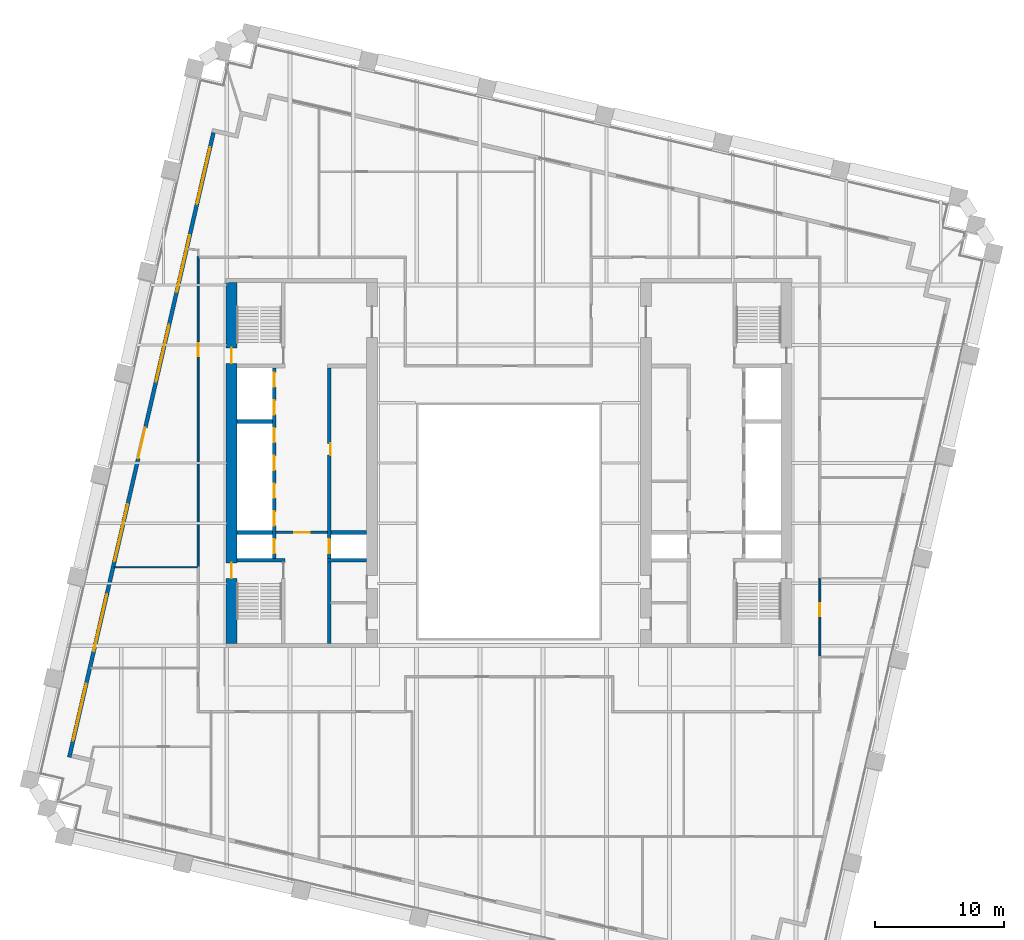
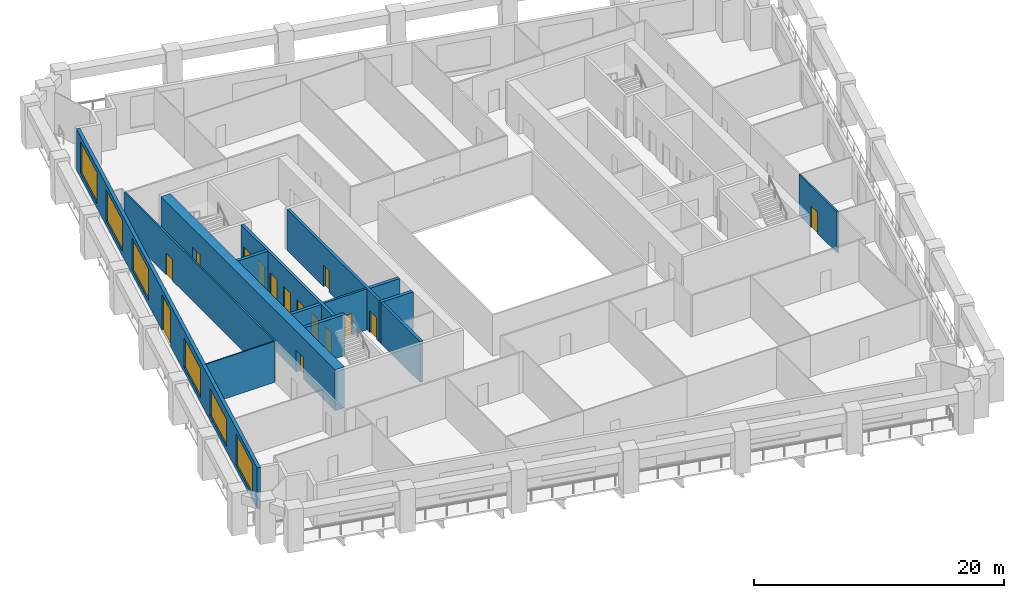
# One storey, part 5 of 10: 15 doors, 13 walls, 6 windows, 21 openings.
"""IFC4 building model written with IfcOpenShell, lengths in metres."""

import ifcopenshell
import ifcopenshell.guid

model = None  # the IFC model being written
_history = None  # IfcOwnerHistory: only IFC2X3 demands one
_inside = {}  # id of a spatial element -> (the spatial element, [elements in it])
_under = {}  # id of a project, library or spatial element -> (it, [spatial elements below it])
_declared = {}  # id of a project -> (the project, [libraries it declares])
_typed = {}  # id of a type object -> (the type object, [elements of that type])
_made_of = {}  # id of a material, layer set ... -> (it, [elements and type objects made of it])


def new_model(schema):
    """Start an empty IFC model of exactly this schema.

    Asked for "IFC4X3", IfcOpenShell would pick the latest addendum, in which some entities
    have other attributes; the version numbers below select the first issue.
    IFC2X3 requires an IfcOwnerHistory on every rooted entity: one is made here for all.
    """
    global model, _history
    if schema == "IFC4X3":
        model = ifcopenshell.file(schema_version=(4, 3, 0, 0))
    else:
        model = ifcopenshell.file(schema=schema)
    _inside.clear()
    _under.clear()
    _declared.clear()
    _typed.clear()
    _made_of.clear()
    _history = None
    if model.schema == "IFC2X3":
        org = make("IfcOrganization", Name="unknown")
        user = make(
            "IfcPersonAndOrganization",
            ThePerson=make("IfcPerson", FamilyName="unknown"),
            TheOrganization=org,
        )
        app = make(
            "IfcApplication",
            ApplicationDeveloper=org,
            Version="unknown",
            ApplicationFullName="unknown",
            ApplicationIdentifier="unknown",
        )
        _history = make(
            "IfcOwnerHistory",
            OwningUser=user,
            OwningApplication=app,
            ChangeAction="ADDED",
            CreationDate=0,
        )
    return model


def make(cls, **values):
    """One entity of the class cls with the attributes given. An attribute that is None is left unset."""
    return model.create_entity(
        cls, **{name: value for name, value in values.items() if value is not None}
    )


def rooted(cls, **values):
    """An entity with a GlobalId (a new one), such as an element, a storey or a relation."""
    return make(cls, GlobalId=ifcopenshell.guid.new(), OwnerHistory=_history, **values)


def si_unit(unit_type, name, prefix=None):
    """IfcSIUnit, for example si_unit("LENGTHUNIT", "METRE", prefix="MILLI")."""
    return make("IfcSIUnit", UnitType=unit_type, Prefix=prefix, Name=name)


def assignment(units):
    """IfcUnitAssignment: the units of a project."""
    return None if units is None else make("IfcUnitAssignment", Units=units)


def point(xyz):
    """IfcCartesianPoint."""
    return None if xyz is None else make("IfcCartesianPoint", Coordinates=xyz)


def direction(xyz):
    """IfcDirection."""
    return None if xyz is None else make("IfcDirection", DirectionRatios=xyz)


def frame(location, z_axis=None, x_axis=None):
    """IfcAxis2Placement3D, a coordinate frame: its origin and axes. An axis left out is left unset."""
    return make(
        "IfcAxis2Placement3D",
        Location=point(location),
        Axis=direction(z_axis),
        RefDirection=direction(x_axis),
    )


def frame_2d(location, x_axis=None):
    """IfcAxis2Placement2D, a coordinate frame in the plane: its origin and x axis."""
    return make(
        "IfcAxis2Placement2D", Location=point(location), RefDirection=direction(x_axis)
    )


def origin():
    """The frame at (0, 0, 0) with its axes left unset."""
    return frame((0.0, 0.0, 0.0))


def place(relative_to, where):
    """IfcLocalPlacement: puts the frame where relative to a parent placement (None: the world)."""
    return make(
        "IfcLocalPlacement", PlacementRelTo=relative_to, RelativePlacement=where
    )


def context(
    kind, dimensions, precision=None, world=None, true_north=None, identifier=None
):
    """IfcGeometricRepresentationContext, for example the 3D "Model" context."""
    return make(
        "IfcGeometricRepresentationContext",
        ContextIdentifier=identifier,
        ContextType=kind,
        CoordinateSpaceDimension=dimensions,
        Precision=precision,
        WorldCoordinateSystem=world,
        TrueNorth=true_north,
    )


def subcontext(parent, identifier, kind, view, scale=None):
    """IfcGeometricRepresentationSubContext, for example "Body" below "Model"."""
    return make(
        "IfcGeometricRepresentationSubContext",
        ContextIdentifier=identifier,
        ContextType=kind,
        ParentContext=parent,
        TargetScale=scale,
        TargetView=view,
    )


def project(units=None, contexts=None):
    """IfcProject with its units and contexts."""
    return rooted(
        "IfcProject",
        Name="project",
        RepresentationContexts=contexts,
        UnitsInContext=assignment(units),
    )


def spatial(cls, under=None, at=None, **own):
    """A site, building, storey or space (cls), placed at a placement, below another one or the project."""
    s = rooted(cls, ObjectPlacement=at, **own)
    if under is not None:
        _under.setdefault(under.id(), (under, []))[1].append(s)
    return s


def profile(cls, at=None, kind="AREA", **sizes):
    """A parametric profile (cls). Its sizes go by their IFC names, for example OverallWidth=200.0."""
    return make(cls, ProfileType=kind, Position=at, **sizes)


def rectangle(**sizes):
    """IfcRectangleProfileDef."""
    return profile("IfcRectangleProfileDef", **sizes)


def extrude(swept, where, along, depth):
    """IfcExtrudedAreaSolid: the profile swept, set in the frame where, extruded along a direction by depth."""
    return make(
        "IfcExtrudedAreaSolid",
        SweptArea=swept,
        Position=where,
        ExtrudedDirection=direction(along),
        Depth=depth,
    )


def shape(context_of_items, identifier, shape_type, items):
    """IfcShapeRepresentation: the items that make up one representation, for example the "Body"."""
    return make(
        "IfcShapeRepresentation",
        ContextOfItems=context_of_items,
        RepresentationIdentifier=identifier,
        RepresentationType=shape_type,
        Items=items,
    )


def material(Name=None, Category=None):
    """IfcMaterial."""
    return make("IfcMaterial", Name=Name, Category=Category)


def layer(
    of_material, thickness, ventilated=None, Name=None, Category=None, Priority=None
):
    """IfcMaterialLayer: one layer of a wall or slab, of a material (None: an air gap)."""
    return make(
        "IfcMaterialLayer",
        Material=of_material,
        LayerThickness=thickness,
        IsVentilated=ventilated,
        Name=Name,
        Category=Category,
        Priority=Priority,
    )


def layer_set(layers, Name=None):
    """IfcMaterialLayerSet."""
    return make("IfcMaterialLayerSet", MaterialLayers=layers, LayerSetName=Name)


def made_of(thing, what):
    """Note that an element or type object is made of a material, layer set ...; save() writes the relation."""
    if what is not None:
        _made_of.setdefault(what.id(), (what, []))[1].append(thing)
    return thing


def type_object(cls, material=None, **own):
    """A type object (cls), such as IfcWallType, which elements share."""
    return made_of(rooted(cls, **own), material)


def element(
    cls,
    number,
    at=None,
    inside=None,
    cuts=None,
    type_object=None,
    material=None,
    context=None,
    identifier="Body",
    shape_type=None,
    held_by="IfcProductDefinitionShape",
    body=None,
    shapes=None,
    **own,
):
    """One element of the class cls, such as IfcWall. Its Tag is "e" and its number.

    at: its placement. inside: the storey or other place that contains it. cuts: it is an
    opening in that element (IfcRelVoidsElement). A single representation is given by context,
    identifier, shape_type and body (its items); several are given by shapes. held_by: the class
    of the entity that holds the representations. save() writes the other relations.
    """
    e = rooted(cls, Tag="e%d" % number, ObjectPlacement=at, **own)
    if body is not None:
        shapes = [shape(context, identifier, shape_type, body)]
    if shapes is not None:
        e.Representation = make(held_by, Representations=shapes)
    if inside is not None:
        _inside.setdefault(inside.id(), (inside, []))[1].append(e)
    if cuts is not None:
        rooted(
            "IfcRelVoidsElement", RelatingBuildingElement=cuts, RelatedOpeningElement=e
        )
    if type_object is not None:
        _typed.setdefault(type_object.id(), (type_object, []))[1].append(e)
    return made_of(e, material)


def fill(opening, filler):
    """IfcRelFillsElement: the door or window that sits in an opening."""
    return rooted(
        "IfcRelFillsElement",
        RelatingOpeningElement=opening,
        RelatedBuildingElement=filler,
    )


def aggregate(whole, parts):
    """IfcRelAggregates: a whole, such as a stair, and the parts it consists of."""
    return rooted("IfcRelAggregates", RelatingObject=whole, RelatedObjects=parts)


def save(model, path):
    """Write the relations noted so far, then the file.

    IfcRelAggregates (storeys below a building ...), IfcRelContainedInSpatialStructure (elements
    in a storey), IfcRelDefinesByType, IfcRelAssociatesMaterial and IfcRelDeclares: one each for
    every whole, place, type object, material and project.
    """
    for whole, parts in _under.values():
        aggregate(whole, parts)
    for where, things in _inside.values():
        rooted(
            "IfcRelContainedInSpatialStructure",
            RelatedElements=things,
            RelatingStructure=where,
        )
    for kind, things in _typed.values():
        rooted("IfcRelDefinesByType", RelatedObjects=things, RelatingType=kind)
    for what, things in _made_of.values():
        rooted("IfcRelAssociatesMaterial", RelatedObjects=things, RelatingMaterial=what)
    for by, libraries in _declared.values():
        rooted("IfcRelDeclares", RelatingContext=by, RelatedDefinitions=libraries)
    model.write(path)


model = new_model("IFC4")

# Units and contexts
model_context = context("Model", 3, precision=1e-05, world=origin(), true_north=direction((0.0, 1.0)))
body_context = subcontext(model_context, "Body", "Model", "MODEL_VIEW")
ifc_project = project(units=[si_unit("LENGTHUNIT", "METRE"), si_unit("AREAUNIT", "SQUARE_METRE"), si_unit("VOLUMEUNIT", "CUBIC_METRE"), si_unit("PLANEANGLEUNIT", "RADIAN"), si_unit("MASSUNIT", "GRAM", prefix="KILO")], contexts=[model_context])

# Site, building, storey
site_placement = place(None, origin())
site = spatial("IfcSite", under=ifc_project, at=site_placement, CompositionType="ELEMENT")
building_placement = place(site_placement, origin())
building = spatial("IfcBuilding", under=site, at=building_placement, Name="Ogive Exchange Tower", CompositionType="ELEMENT")
storey_placement = place(building_placement, frame((0.0, 0.0, 118.199951171875)))
storey = spatial("IfcBuildingStorey", under=building, at=storey_placement, Name="L25", CompositionType="ELEMENT", Elevation=118.199951171875)

# Wall, opening, door
ifc_material_1 = material(Name="Fire partition EI 60 150")
ifc_layer_1 = layer(ifc_material_1, 0.14990234375)
ifc_layer_set_1 = layer_set([ifc_layer_1], Name="Fire partition EI 60 150")
wall_type_1 = type_object("IfcWallType", Name="Fire partition EI 60 150", PredefinedType="PARTITIONING", material=ifc_layer_set_1)
wall_1_placement = place(storey_placement, frame((-24.0, 3.449951171875, 0.0), z_axis=(0.0, 0.0, 1.0), x_axis=(0.0, 1.0, 0.0)))
wall_1 = element("IfcWall", 1, at=wall_1_placement, inside=storey, type_object=wall_type_1, Name="L25-PWL-007", PredefinedType="PARTITIONING", context=body_context, shape_type="SweptSolid", body=[
    extrude(rectangle(XDim=24.025146484375, YDim=0.14990234375, at=frame_2d((12.0126953125, 0.0))), origin(), (0.0, 0.0, 1.0), 4.0),
])
opening_1_placement = place(wall_1_placement, frame((16.300048828125, 0.0, 0.0)))
opening_1 = element("IfcOpeningElement", 2, at=opening_1_placement, cuts=wall_1, Name="Opening L25-I19", PredefinedType="OPENING", context=body_context, shape_type="SweptSolid", body=[
    extrude(rectangle(XDim=1.0, YDim=2.10009765625, at=frame_2d((0.5, 1.050048828125))), frame((0.0, 0.0849609375, 0.0), z_axis=(0.0, -1.0, 0.0), x_axis=(1.0, 0.0, 0.0)), (0.0, 0.0, 1.0), 0.169921875),
])
ifc_material_2 = material(Name="Fire door FD 30S 1000 x 2100")
door_type_1 = type_object("IfcDoorType", Name="Fire door FD 30S 1000 x 2100", OperationType="NOTDEFINED", PredefinedType="DOOR", material=ifc_material_2)
door_1_placement = place(opening_1_placement, origin())
door_1 = element("IfcDoor", 3, at=door_1_placement, inside=storey, type_object=door_type_1, Name="L25-IDR-019", ObjectType="DT3", OperationType="SINGLE_SWING_LEFT", OverallHeight=2.10009765625, OverallWidth=1.0, PredefinedType="DOOR", context=body_context, shape_type="SweptSolid", body=[
    extrude(rectangle(XDim=1.0, YDim=2.10009765625, at=frame_2d((0.5, 1.050048828125))), frame((0.0, 0.02490234375, 0.0), z_axis=(0.0, -1.0, 0.0), x_axis=(1.0, 0.0, 0.0)), (0.0, 0.0, 1.0), 0.050048828125),
])
fill(opening_1, door_1)

wall_2_placement = place(storey_placement, frame((24.0, 2.610107421875, 0.0), z_axis=(0.0, 0.0, 1.0), x_axis=(0.0, -1.0, 0.0)))
wall_2 = element("IfcWall", 4, at=wall_2_placement, inside=storey, type_object=wall_type_1, Name="L25-PWL-059", PredefinedType="PARTITIONING", context=body_context, shape_type="SweptSolid", body=[
    extrude(rectangle(XDim=6.090087890625, YDim=0.14990234375, at=frame_2d((3.044921875, 0.0))), origin(), (0.0, 0.0, 1.0), 4.0),
])
opening_2_placement = place(wall_2_placement, frame((1.93994140625, 0.0, 0.0)))
opening_2 = element("IfcOpeningElement", 5, at=opening_2_placement, cuts=wall_2, Name="Opening L25-I08", PredefinedType="OPENING", context=body_context, shape_type="SweptSolid", body=[
    extrude(rectangle(XDim=1.0, YDim=2.10009765625, at=frame_2d((0.5, 1.050048828125))), frame((0.0, 0.0849609375, 0.0), z_axis=(0.0, -1.0, 0.0), x_axis=(1.0, 0.0, 0.0)), (0.0, 0.0, 1.0), 0.169921875),
])
door_2_placement = place(opening_2_placement, origin())
door_2 = element("IfcDoor", 6, at=door_2_placement, inside=storey, type_object=door_type_1, Name="L25-IDR-008", ObjectType="DT3", OperationType="SINGLE_SWING_RIGHT", OverallHeight=2.10009765625, OverallWidth=1.0, PredefinedType="DOOR", context=body_context, shape_type="SweptSolid", body=[
    extrude(rectangle(XDim=1.0, YDim=2.10009765625, at=frame_2d((0.5, 1.050048828125))), frame((0.0, 0.02490234375, 0.0), z_axis=(0.0, -1.0, 0.0), x_axis=(1.0, 0.0, 0.0)), (0.0, 0.0, 1.0), 0.050048828125),
])
fill(opening_2, door_2)

# Wall, openings, door, windows
ifc_material_3 = material(Name="Precast concrete C40/50", Category="concrete")
ifc_layer_2 = layer(ifc_material_3, 0.300048828125)
ifc_layer_set_2 = layer_set([ifc_layer_2], Name="Limestone-faced wall 300")
wall_type_2 = type_object("IfcWallType", Name="Limestone-faced wall 300", PredefinedType="STANDARD", material=ifc_layer_set_2)
wall_3_placement = place(storey_placement, frame((-22.8203125, 37.015625, 0.0), z_axis=(0.0, 0.0, 1.0), x_axis=(-0.224953880882, -0.974369412223, 0.0)))
wall_3 = element("IfcWall", 7, at=wall_3_placement, inside=storey, type_object=wall_type_2, Name="External wall W4", PredefinedType="STANDARD", context=body_context, shape_type="SweptSolid", body=[
    extrude(rectangle(XDim=49.500244140625, YDim=0.300048828125, at=frame_2d((24.75, 0.0))), origin(), (0.0, 0.0, 1.0), 4.0),
])
opening_3_placement = place(wall_3_placement, frame((1.156982421875, 0.0, 0.449951171875)))
opening_3 = element("IfcOpeningElement", 8, at=opening_3_placement, cuts=wall_3, Name="Opening W1", PredefinedType="OPENING", context=body_context, shape_type="SweptSolid", body=[
    extrude(rectangle(XDim=4.5, YDim=3.050048828125, at=frame_2d((2.25, 1.52490234375))), frame((0.0, 0.159912109375, 0.0), z_axis=(0.0, -1.0, 0.0), x_axis=(1.0, 0.0, 0.0)), (0.0, 0.0, 1.0), 0.320068359375),
])
opening_4_placement = place(wall_3_placement, frame((8.121337890625, 0.0, 0.449951171875)))
opening_4 = element("IfcOpeningElement", 9, at=opening_4_placement, cuts=wall_3, Name="Opening W1", PredefinedType="OPENING", context=body_context, shape_type="SweptSolid", body=[
    extrude(rectangle(XDim=4.5, YDim=3.050048828125, at=frame_2d((2.25, 1.52490234375))), frame((0.0, 0.159912109375, 0.0), z_axis=(0.0, -1.0, 0.0), x_axis=(1.0, 0.0, 0.0)), (0.0, 0.0, 1.0), 0.320068359375),
])
opening_5_placement = place(wall_3_placement, frame((15.235595703125, 0.0, 0.449951171875)))
opening_5 = element("IfcOpeningElement", 10, at=opening_5_placement, cuts=wall_3, Name="Opening W1", PredefinedType="OPENING", context=body_context, shape_type="SweptSolid", body=[
    extrude(rectangle(XDim=4.5, YDim=3.050048828125, at=frame_2d((2.25, 1.52490234375))), frame((0.0, 0.159912109375, 0.0), z_axis=(0.0, -1.0, 0.0), x_axis=(1.0, 0.0, 0.0)), (0.0, 0.0, 1.0), 0.320068359375),
])
opening_6_placement = place(wall_3_placement, frame((23.39990234375, 0.0, 0.0)))
opening_6 = element("IfcOpeningElement", 11, at=opening_6_placement, cuts=wall_3, Name="Opening D1", PredefinedType="OPENING", context=body_context, shape_type="SweptSolid", body=[
    extrude(rectangle(XDim=2.39990234375, YDim=3.5, at=frame_2d((1.199951171875, 1.75))), frame((0.0, 0.159912109375, 0.0), z_axis=(0.0, -1.0, 0.0), x_axis=(1.0, 0.0, 0.0)), (0.0, 0.0, 1.0), 0.320068359375),
])
opening_7_placement = place(wall_3_placement, frame((29.464111328125, 0.0, 0.449951171875)))
opening_7 = element("IfcOpeningElement", 12, at=opening_7_placement, cuts=wall_3, Name="Opening W1D", PredefinedType="OPENING", context=body_context, shape_type="SweptSolid", body=[
    extrude(rectangle(XDim=4.5, YDim=2.875, at=frame_2d((2.25, 1.4375))), frame((0.0, 0.159912109375, 0.0), z_axis=(0.0, -1.0, 0.0), x_axis=(1.0, 0.0, 0.0)), (0.0, 0.0, 1.0), 0.320068359375),
])
opening_8_placement = place(wall_3_placement, frame((36.57861328125, 0.0, 0.449951171875)))
opening_8 = element("IfcOpeningElement", 13, at=opening_8_placement, cuts=wall_3, Name="Opening W1J", PredefinedType="OPENING", context=body_context, shape_type="SweptSolid", body=[
    extrude(rectangle(XDim=4.5, YDim=2.675048828125, at=frame_2d((2.25, 1.33740234375))), frame((0.0, 0.159912109375, 0.0), z_axis=(0.0, -1.0, 0.0), x_axis=(1.0, 0.0, 0.0)), (0.0, 0.0, 1.0), 0.320068359375),
])
opening_9_placement = place(wall_3_placement, frame((43.69287109375, 0.0, 0.449951171875)))
opening_9 = element("IfcOpeningElement", 14, at=opening_9_placement, cuts=wall_3, Name="Opening W1", PredefinedType="OPENING", context=body_context, shape_type="SweptSolid", body=[
    extrude(rectangle(XDim=4.5, YDim=3.050048828125, at=frame_2d((2.25, 1.52490234375))), frame((0.0, 0.159912109375, 0.0), z_axis=(0.0, -1.0, 0.0), x_axis=(1.0, 0.0, 0.0)), (0.0, 0.0, 1.0), 0.320068359375),
])
ifc_material_4 = material(Name="Clear glass in bronze frame", Category="glass")
door_type_2 = type_object("IfcDoorType", Name="Sliding loggia door 2400 x 3500", OperationType="DOUBLE_DOOR_SLIDING", PredefinedType="DOOR", material=ifc_material_4)
door_3_placement = place(opening_6_placement, origin())
door_3 = element("IfcDoor", 15, at=door_3_placement, inside=storey, type_object=door_type_2, Name="Loggia door W03", OperationType="DOUBLE_DOOR_SLIDING", OverallHeight=3.5, OverallWidth=2.39990234375, PredefinedType="DOOR", context=body_context, shape_type="SweptSolid", body=[
    extrude(rectangle(XDim=2.39990234375, YDim=3.5, at=frame_2d((1.199951171875, 1.75))), frame((0.0, 0.02490234375, 0.0), z_axis=(0.0, -1.0, 0.0), x_axis=(1.0, 0.0, 0.0)), (0.0, 0.0, 1.0), 0.050048828125),
])
fill(opening_6, door_3)
window_type_1 = type_object("IfcWindowType", Name="Twin lancet window 4500 x 2675", PartitioningType="DOUBLE_PANEL_VERTICAL", PredefinedType="WINDOW", material=ifc_material_4)
window_1_placement = place(opening_8_placement, origin())
window_1 = element("IfcWindow", 16, at=window_1_placement, inside=storey, type_object=window_type_1, Name="Window W05", OverallHeight=2.675048828125, OverallWidth=4.5, PartitioningType="DOUBLE_PANEL_VERTICAL", PredefinedType="WINDOW", context=body_context, shape_type="SweptSolid", body=[
    extrude(rectangle(XDim=4.5, YDim=2.675048828125, at=frame_2d((2.25, 1.33740234375))), frame((0.0, 0.030029296875, 0.0), z_axis=(0.0, -1.0, 0.0), x_axis=(1.0, 0.0, 0.0)), (0.0, 0.0, 1.0), 0.06005859375),
])
fill(opening_8, window_1)
window_type_2 = type_object("IfcWindowType", Name="Twin lancet window 4500 x 2875", PartitioningType="DOUBLE_PANEL_VERTICAL", PredefinedType="WINDOW", material=ifc_material_4)
window_2_placement = place(opening_7_placement, origin())
window_2 = element("IfcWindow", 17, at=window_2_placement, inside=storey, type_object=window_type_2, Name="Window W04", OverallHeight=2.875, OverallWidth=4.5, PartitioningType="DOUBLE_PANEL_VERTICAL", PredefinedType="WINDOW", context=body_context, shape_type="SweptSolid", body=[
    extrude(rectangle(XDim=4.5, YDim=2.875, at=frame_2d((2.25, 1.4375))), frame((0.0, 0.030029296875, 0.0), z_axis=(0.0, -1.0, 0.0), x_axis=(1.0, 0.0, 0.0)), (0.0, 0.0, 1.0), 0.06005859375),
])
fill(opening_7, window_2)
window_type_3 = type_object("IfcWindowType", Name="Twin lancet window 4500 x 3050", PartitioningType="DOUBLE_PANEL_VERTICAL", PredefinedType="WINDOW", material=ifc_material_4)
window_3_placement = place(opening_3_placement, origin())
window_3 = element("IfcWindow", 18, at=window_3_placement, inside=storey, type_object=window_type_3, Name="Window W00", OverallHeight=3.050048828125, OverallWidth=4.5, PartitioningType="DOUBLE_PANEL_VERTICAL", PredefinedType="WINDOW", context=body_context, shape_type="SweptSolid", body=[
    extrude(rectangle(XDim=4.5, YDim=3.050048828125, at=frame_2d((2.25, 1.52490234375))), frame((0.0, 0.030029296875, 0.0), z_axis=(0.0, -1.0, 0.0), x_axis=(1.0, 0.0, 0.0)), (0.0, 0.0, 1.0), 0.06005859375),
])
fill(opening_3, window_3)
window_4_placement = place(opening_4_placement, origin())
window_4 = element("IfcWindow", 19, at=window_4_placement, inside=storey, type_object=window_type_3, Name="Window W01", OverallHeight=3.050048828125, OverallWidth=4.5, PartitioningType="DOUBLE_PANEL_VERTICAL", PredefinedType="WINDOW", context=body_context, shape_type="SweptSolid", body=[
    extrude(rectangle(XDim=4.5, YDim=3.050048828125, at=frame_2d((2.25, 1.52490234375))), frame((0.0, 0.030029296875, 0.0), z_axis=(0.0, -1.0, 0.0), x_axis=(1.0, 0.0, 0.0)), (0.0, 0.0, 1.0), 0.06005859375),
])
fill(opening_4, window_4)
window_5_placement = place(opening_5_placement, origin())
window_5 = element("IfcWindow", 20, at=window_5_placement, inside=storey, type_object=window_type_3, Name="Window W02", OverallHeight=3.050048828125, OverallWidth=4.5, PartitioningType="DOUBLE_PANEL_VERTICAL", PredefinedType="WINDOW", context=body_context, shape_type="SweptSolid", body=[
    extrude(rectangle(XDim=4.5, YDim=3.050048828125, at=frame_2d((2.25, 1.52490234375))), frame((0.0, 0.030029296875, 0.0), z_axis=(0.0, -1.0, 0.0), x_axis=(1.0, 0.0, 0.0)), (0.0, 0.0, 1.0), 0.06005859375),
])
fill(opening_5, window_5)
window_6_placement = place(opening_9_placement, origin())
window_6 = element("IfcWindow", 21, at=window_6_placement, inside=storey, type_object=window_type_3, Name="Window W06", OverallHeight=3.050048828125, OverallWidth=4.5, PartitioningType="DOUBLE_PANEL_VERTICAL", PredefinedType="WINDOW", context=body_context, shape_type="SweptSolid", body=[
    extrude(rectangle(XDim=4.5, YDim=3.050048828125, at=frame_2d((2.25, 1.52490234375))), frame((0.0, 0.030029296875, 0.0), z_axis=(0.0, -1.0, 0.0), x_axis=(1.0, 0.0, 0.0)), (0.0, 0.0, 1.0), 0.06005859375),
])
fill(opening_9, window_6)

# Wall
ifc_material_5 = material(Name="Partition 100 gypsum")
ifc_layer_3 = layer(ifc_material_5, 0.10009765625)
ifc_layer_set_3 = layer_set([ifc_layer_3], Name="Partition 100 gypsum")
wall_type_3 = type_object("IfcWallType", Name="Partition 100 gypsum", PredefinedType="PARTITIONING", material=ifc_layer_set_3)
wall_4_placement = place(storey_placement, frame((-24.074951171875, 3.449951171875, 0.0), z_axis=(0.0, 0.0, 1.0), x_axis=(-1.0, 0.0, 0.0)))
element("IfcWall", 22, at=wall_4_placement, inside=storey, type_object=wall_type_3, Name="L25-PWL-006", PredefinedType="PARTITIONING", context=body_context, shape_type="SweptSolid", body=[
    extrude(rectangle(XDim=6.423095703125, YDim=0.10009765625, at=frame_2d((3.21142578125, 0.0))), origin(), (0.0, 0.0, 1.0), 4.0),
])

# Wall, opening, door
ifc_material_6 = material(Name="Concrete C70/85", Category="concrete")
ifc_layer_4 = layer(ifc_material_6, 0.199951171875)
ifc_layer_set_4 = layer_set([ifc_layer_4], Name="RC core wall 200 C70/85")
wall_type_4 = type_object("IfcWallType", Name="RC core wall 200 C70/85", PredefinedType="SHEAR", material=ifc_layer_set_4)
wall_5_placement = place(storey_placement, frame((-18.0, 6.142822265625, 0.0), z_axis=(0.0, 0.0, 1.0), x_axis=(1.0, 0.0, 0.0)))
wall_5 = element("IfcWall", 23, at=wall_5_placement, inside=storey, type_object=wall_type_4, Name="W firefighting lobby wall", PredefinedType="SHEAR", context=body_context, shape_type="SweptSolid", body=[
    extrude(rectangle(XDim=4.0, YDim=0.199951171875, at=frame_2d((2.0, 0.0))), origin(), (0.0, 0.0, 1.0), 4.0),
])
opening_10_placement = place(wall_5_placement, frame((1.39990234375, 0.0, 0.0)))
opening_10 = element("IfcOpeningElement", 24, at=opening_10_placement, cuts=wall_5, Name="Opening L25-C10", PredefinedType="OPENING", context=body_context, shape_type="SweptSolid", body=[
    extrude(rectangle(XDim=1.199951171875, YDim=2.10009765625, at=frame_2d((0.60009765625, 1.050048828125))), frame((0.0, 0.10986328125, 0.0), z_axis=(0.0, -1.0, 0.0), x_axis=(1.0, 0.0, 0.0)), (0.0, 0.0, 1.0), 0.219970703125),
])
ifc_material_7 = material(Name="Steel fire door", Category="steel")
door_type_3 = type_object("IfcDoorType", Name="Firefighting lobby door FD60 1200 x 2100", OperationType="NOTDEFINED", PredefinedType="DOOR", material=ifc_material_7)
door_4_placement = place(opening_10_placement, frame((1.199951171875, 0.0, 0.0), z_axis=(0.0, 0.0, 1.0), x_axis=(-1.0, 0.0, 0.0)))
door_4 = element("IfcDoor", 25, at=door_4_placement, inside=storey, type_object=door_type_3, Name="Firefighting lobby door", ObjectType="CD3", OperationType="SINGLE_SWING_RIGHT", OverallHeight=2.10009765625, OverallWidth=1.199951171875, PredefinedType="DOOR", context=body_context, shape_type="SweptSolid", body=[
    extrude(rectangle(XDim=1.199951171875, YDim=2.10009765625, at=frame_2d((0.60009765625, 1.050048828125))), frame((0.0, 0.02490234375, 0.0), z_axis=(0.0, -1.0, 0.0), x_axis=(1.0, 0.0, 0.0)), (0.0, 0.0, 1.0), 0.050048828125),
])
fill(opening_10, door_4)

# Wall, openings, doors
ifc_layer_5 = layer(ifc_material_6, 0.25)
ifc_layer_set_5 = layer_set([ifc_layer_5], Name="RC core wall 250 C70/85")
wall_type_5 = type_object("IfcWallType", Name="RC core wall 250 C70/85", PredefinedType="SHEAR", material=ifc_layer_set_5)
wall_6_placement = place(storey_placement, frame((-18.125, 4.14990234375, 0.0), z_axis=(0.0, 0.0, 1.0), x_axis=(0.0, 1.0, 0.0)))
wall_6 = element("IfcWall", 26, at=wall_6_placement, inside=storey, type_object=wall_type_5, Name="W row A front wall", PredefinedType="SHEAR", context=body_context, shape_type="SweptSolid", body=[
    extrude(rectangle(XDim=14.7001953125, YDim=0.25, at=frame_2d((7.35009765625, 0.0))), origin(), (0.0, 0.0, 1.0), 4.0),
])
opening_11_placement = place(wall_6_placement, frame((0.371337890625, 0.0, 0.0)))
opening_11 = element("IfcOpeningElement", 27, at=opening_11_placement, cuts=wall_6, Name="Opening L25-C01", PredefinedType="OPENING", context=body_context, shape_type="SweptSolid", body=[
    extrude(rectangle(XDim=1.10009765625, YDim=2.10009765625, at=frame_2d((0.550048828125, 1.050048828125))), frame((0.0, 0.135009765625, 0.0), z_axis=(0.0, -1.0, 0.0), x_axis=(1.0, 0.0, 0.0)), (0.0, 0.0, 1.0), 0.27001953125),
])
opening_12_placement = place(wall_6_placement, frame((2.514404296875, 0.0, 0.0)))
opening_12 = element("IfcOpeningElement", 28, at=opening_12_placement, cuts=wall_6, Name="Opening L25-C02", PredefinedType="OPENING", context=body_context, shape_type="SweptSolid", body=[
    extrude(rectangle(XDim=1.10009765625, YDim=2.10009765625, at=frame_2d((0.550048828125, 1.050048828125))), frame((0.0, 0.135009765625, 0.0), z_axis=(0.0, -1.0, 0.0), x_axis=(1.0, 0.0, 0.0)), (0.0, 0.0, 1.0), 0.27001953125),
])
opening_13_placement = place(wall_6_placement, frame((4.656982421875, 0.0, 0.0)))
opening_13 = element("IfcOpeningElement", 29, at=opening_13_placement, cuts=wall_6, Name="Opening L25-C03", PredefinedType="OPENING", context=body_context, shape_type="SweptSolid", body=[
    extrude(rectangle(XDim=1.10009765625, YDim=2.10009765625, at=frame_2d((0.550048828125, 1.050048828125))), frame((0.0, 0.135009765625, 0.0), z_axis=(0.0, -1.0, 0.0), x_axis=(1.0, 0.0, 0.0)), (0.0, 0.0, 1.0), 0.27001953125),
])
opening_14_placement = place(wall_6_placement, frame((6.800048828125, 0.0, 0.0)))
opening_14 = element("IfcOpeningElement", 30, at=opening_14_placement, cuts=wall_6, Name="Opening L25-C04", PredefinedType="OPENING", context=body_context, shape_type="SweptSolid", body=[
    extrude(rectangle(XDim=1.10009765625, YDim=2.10009765625, at=frame_2d((0.550048828125, 1.050048828125))), frame((0.0, 0.135009765625, 0.0), z_axis=(0.0, -1.0, 0.0), x_axis=(1.0, 0.0, 0.0)), (0.0, 0.0, 1.0), 0.27001953125),
])
opening_15_placement = place(wall_6_placement, frame((8.94287109375, 0.0, 0.0)))
opening_15 = element("IfcOpeningElement", 31, at=opening_15_placement, cuts=wall_6, Name="Opening L25-C05", PredefinedType="OPENING", context=body_context, shape_type="SweptSolid", body=[
    extrude(rectangle(XDim=1.10009765625, YDim=2.10009765625, at=frame_2d((0.550048828125, 1.050048828125))), frame((0.0, 0.135009765625, 0.0), z_axis=(0.0, -1.0, 0.0), x_axis=(1.0, 0.0, 0.0)), (0.0, 0.0, 1.0), 0.27001953125),
])
opening_16_placement = place(wall_6_placement, frame((11.085693359375, 0.0, 0.0)))
opening_16 = element("IfcOpeningElement", 32, at=opening_16_placement, cuts=wall_6, Name="Opening L25-C06", PredefinedType="OPENING", context=body_context, shape_type="SweptSolid", body=[
    extrude(rectangle(XDim=1.10009765625, YDim=2.10009765625, at=frame_2d((0.550048828125, 1.050048828125))), frame((0.0, 0.135009765625, 0.0), z_axis=(0.0, -1.0, 0.0), x_axis=(1.0, 0.0, 0.0)), (0.0, 0.0, 1.0), 0.27001953125),
])
opening_17_placement = place(wall_6_placement, frame((13.228515625, 0.0, 0.0)))
opening_17 = element("IfcOpeningElement", 33, at=opening_17_placement, cuts=wall_6, Name="Opening L25-C07", PredefinedType="OPENING", context=body_context, shape_type="SweptSolid", body=[
    extrude(rectangle(XDim=1.10009765625, YDim=2.10009765625, at=frame_2d((0.550048828125, 1.050048828125))), frame((0.0, 0.135009765625, 0.0), z_axis=(0.0, -1.0, 0.0), x_axis=(1.0, 0.0, 0.0)), (0.0, 0.0, 1.0), 0.27001953125),
])
ifc_material_8 = material(Name="Stainless steel", Category="steel")
door_type_4 = type_object("IfcDoorType", Name="Lift landing door FD90 1100 x 2100", OperationType="SLIDING_TO_LEFT", PredefinedType="DOOR", material=ifc_material_8)
door_5_placement = place(opening_11_placement, origin())
door_5 = element("IfcDoor", 34, at=door_5_placement, inside=storey, type_object=door_type_4, Name="Lift landing door FF1", ObjectType="LD", OperationType="SLIDING_TO_LEFT", OverallHeight=2.10009765625, OverallWidth=1.10009765625, PredefinedType="DOOR", context=body_context, shape_type="SweptSolid", body=[
    extrude(rectangle(XDim=1.10009765625, YDim=2.10009765625, at=frame_2d((0.550048828125, 1.050048828125))), frame((0.0, 0.02490234375, 0.0), z_axis=(0.0, -1.0, 0.0), x_axis=(1.0, 0.0, 0.0)), (0.0, 0.0, 1.0), 0.050048828125),
])
fill(opening_11, door_5)
door_6_placement = place(opening_12_placement, origin())
door_6 = element("IfcDoor", 35, at=door_6_placement, inside=storey, type_object=door_type_4, Name="Lift landing door W-L1", ObjectType="LD", OperationType="SLIDING_TO_LEFT", OverallHeight=2.10009765625, OverallWidth=1.10009765625, PredefinedType="DOOR", context=body_context, shape_type="SweptSolid", body=[
    extrude(rectangle(XDim=1.10009765625, YDim=2.10009765625, at=frame_2d((0.550048828125, 1.050048828125))), frame((0.0, 0.02490234375, 0.0), z_axis=(0.0, -1.0, 0.0), x_axis=(1.0, 0.0, 0.0)), (0.0, 0.0, 1.0), 0.050048828125),
])
fill(opening_12, door_6)
door_7_placement = place(opening_13_placement, origin())
door_7 = element("IfcDoor", 36, at=door_7_placement, inside=storey, type_object=door_type_4, Name="Lift landing door W-L2", ObjectType="LD", OperationType="SLIDING_TO_LEFT", OverallHeight=2.10009765625, OverallWidth=1.10009765625, PredefinedType="DOOR", context=body_context, shape_type="SweptSolid", body=[
    extrude(rectangle(XDim=1.10009765625, YDim=2.10009765625, at=frame_2d((0.550048828125, 1.050048828125))), frame((0.0, 0.02490234375, 0.0), z_axis=(0.0, -1.0, 0.0), x_axis=(1.0, 0.0, 0.0)), (0.0, 0.0, 1.0), 0.050048828125),
])
fill(opening_13, door_7)
door_8_placement = place(opening_14_placement, origin())
door_8 = element("IfcDoor", 37, at=door_8_placement, inside=storey, type_object=door_type_4, Name="Lift landing door W-L3", ObjectType="LD", OperationType="SLIDING_TO_LEFT", OverallHeight=2.10009765625, OverallWidth=1.10009765625, PredefinedType="DOOR", context=body_context, shape_type="SweptSolid", body=[
    extrude(rectangle(XDim=1.10009765625, YDim=2.10009765625, at=frame_2d((0.550048828125, 1.050048828125))), frame((0.0, 0.02490234375, 0.0), z_axis=(0.0, -1.0, 0.0), x_axis=(1.0, 0.0, 0.0)), (0.0, 0.0, 1.0), 0.050048828125),
])
fill(opening_14, door_8)
door_9_placement = place(opening_15_placement, origin())
door_9 = element("IfcDoor", 38, at=door_9_placement, inside=storey, type_object=door_type_4, Name="Lift landing door W-L4", ObjectType="LD", OperationType="SLIDING_TO_LEFT", OverallHeight=2.10009765625, OverallWidth=1.10009765625, PredefinedType="DOOR", context=body_context, shape_type="SweptSolid", body=[
    extrude(rectangle(XDim=1.10009765625, YDim=2.10009765625, at=frame_2d((0.550048828125, 1.050048828125))), frame((0.0, 0.02490234375, 0.0), z_axis=(0.0, -1.0, 0.0), x_axis=(1.0, 0.0, 0.0)), (0.0, 0.0, 1.0), 0.050048828125),
])
fill(opening_15, door_9)
door_10_placement = place(opening_16_placement, origin())
door_10 = element("IfcDoor", 39, at=door_10_placement, inside=storey, type_object=door_type_4, Name="Lift landing door W-SH1", ObjectType="LD", OperationType="SLIDING_TO_LEFT", OverallHeight=2.10009765625, OverallWidth=1.10009765625, PredefinedType="DOOR", context=body_context, shape_type="SweptSolid", body=[
    extrude(rectangle(XDim=1.10009765625, YDim=2.10009765625, at=frame_2d((0.550048828125, 1.050048828125))), frame((0.0, 0.02490234375, 0.0), z_axis=(0.0, -1.0, 0.0), x_axis=(1.0, 0.0, 0.0)), (0.0, 0.0, 1.0), 0.050048828125),
])
fill(opening_16, door_10)
door_11_placement = place(opening_17_placement, origin())
door_11 = element("IfcDoor", 40, at=door_11_placement, inside=storey, type_object=door_type_4, Name="Lift landing door W-SH2", ObjectType="LD", OperationType="SLIDING_TO_LEFT", OverallHeight=2.10009765625, OverallWidth=1.10009765625, PredefinedType="DOOR", context=body_context, shape_type="SweptSolid", body=[
    extrude(rectangle(XDim=1.10009765625, YDim=2.10009765625, at=frame_2d((0.550048828125, 1.050048828125))), frame((0.0, 0.02490234375, 0.0), z_axis=(0.0, -1.0, 0.0), x_axis=(1.0, 0.0, 0.0)), (0.0, 0.0, 1.0), 0.050048828125),
])
fill(opening_17, door_11)

wall_7_placement = place(storey_placement, frame((-13.875, -2.449951171875, 0.0), z_axis=(0.0, 0.0, 1.0), x_axis=(0.0, 1.0, 0.0)))
wall_7 = element("IfcWall", 41, at=wall_7_placement, inside=storey, type_object=wall_type_5, Name="W row B front wall", PredefinedType="SHEAR", context=body_context, shape_type="SweptSolid", body=[
    extrude(rectangle(XDim=21.300048828125, YDim=0.25, at=frame_2d((10.64990234375, 0.0))), origin(), (0.0, 0.0, 1.0), 4.0),
])
opening_18_placement = place(wall_7_placement, frame((14.5712890625, 0.0, 0.0)))
opening_18 = element("IfcOpeningElement", 42, at=opening_18_placement, cuts=wall_7, Name="Opening L25-C08", PredefinedType="OPENING", context=body_context, shape_type="SweptSolid", body=[
    extrude(rectangle(XDim=0.89990234375, YDim=2.10009765625, at=frame_2d((0.449951171875, 1.050048828125))), frame((0.0, 0.135009765625, 0.0), z_axis=(0.0, -1.0, 0.0), x_axis=(1.0, 0.0, 0.0)), (0.0, 0.0, 1.0), 0.27001953125),
])
opening_19_placement = place(wall_7_placement, frame((6.971435546875, 0.0, 0.0)))
opening_19 = element("IfcOpeningElement", 43, at=opening_19_placement, cuts=wall_7, Name="Opening L25-C09", PredefinedType="OPENING", context=body_context, shape_type="SweptSolid", body=[
    extrude(rectangle(XDim=1.10009765625, YDim=2.10009765625, at=frame_2d((0.550048828125, 1.050048828125))), frame((0.0, 0.135009765625, 0.0), z_axis=(0.0, -1.0, 0.0), x_axis=(1.0, 0.0, 0.0)), (0.0, 0.0, 1.0), 0.27001953125),
])
door_12_placement = place(opening_19_placement, origin())
door_12 = element("IfcDoor", 44, at=door_12_placement, inside=storey, type_object=door_type_4, Name="Lift landing door SV1", ObjectType="LD", OperationType="SLIDING_TO_LEFT", OverallHeight=2.10009765625, OverallWidth=1.10009765625, PredefinedType="DOOR", context=body_context, shape_type="SweptSolid", body=[
    extrude(rectangle(XDim=1.10009765625, YDim=2.10009765625, at=frame_2d((0.550048828125, 1.050048828125))), frame((0.0, 0.02490234375, 0.0), z_axis=(0.0, -1.0, 0.0), x_axis=(1.0, 0.0, 0.0)), (0.0, 0.0, 1.0), 0.050048828125),
])
fill(opening_19, door_12)
door_type_5 = type_object("IfcDoorType", Name="Riser door FD60 900 x 2100", OperationType="NOTDEFINED", PredefinedType="DOOR", material=ifc_material_7)
door_13_placement = place(opening_18_placement, frame((0.89990234375, -0.2001953125, 0.0), z_axis=(0.0, 0.0, 1.0), x_axis=(-1.0, 0.0, 0.0)))
door_13 = element("IfcDoor", 45, at=door_13_placement, inside=storey, type_object=door_type_5, Name="Riser door", ObjectType="CD2", OperationType="SINGLE_SWING_LEFT", OverallHeight=2.10009765625, OverallWidth=0.89990234375, PredefinedType="DOOR", context=body_context, shape_type="SweptSolid", body=[
    extrude(rectangle(XDim=0.89990234375, YDim=2.10009765625, at=frame_2d((0.449951171875, 1.050048828125))), frame((0.0, -0.0751953125, 0.0), z_axis=(0.0, -1.0, 0.0), x_axis=(1.0, 0.0, 0.0)), (0.0, 0.0, 1.0), 0.050048828125),
])
fill(opening_18, door_13)

# Walls
ifc_layer_6 = layer(ifc_material_6, 0.300048828125)
ifc_layer_set_6 = layer_set([ifc_layer_6], Name="RC core wall 300 C70/85")
wall_type_6 = type_object("IfcWallType", Name="RC core wall 300 C70/85", PredefinedType="SHEAR", material=ifc_layer_set_6)
wall_8_placement = place(storey_placement, frame((-21.0, 4.0, 0.0), z_axis=(0.0, 0.0, 1.0), x_axis=(1.0, 0.0, 0.0)))
element("IfcWall", 46, at=wall_8_placement, inside=storey, type_object=wall_type_6, Name="W stair S north wall", PredefinedType="SHEAR", context=body_context, shape_type="SweptSolid", body=[
    extrude(rectangle(XDim=3.699951171875, YDim=0.300048828125, at=frame_2d((1.85009765625, 0.0))), origin(), (0.0, 0.0, 1.0), 4.0),
])
for number, where, z_axis, x_axis, name in (
    (47, (-21.0, 6.142822265625, 0.0), (0.0, 0.0, 1.0), (1.0, 0.0, 0.0), "W row A divider 1"),
    (48, (-21.0, 14.71435546875, 0.0), (0.0, 0.0, 1.0), (1.0, 0.0, 0.0), "W row A divider 5"),
):
    element("IfcWall", number, at=place(storey_placement, frame(where, z_axis=z_axis, x_axis=x_axis)), inside=storey, type_object=wall_type_6, Name=name, PredefinedType="SHEAR", context=body_context, shape_type="SweptSolid", body=[
        extrude(rectangle(XDim=2.75, YDim=0.300048828125, at=frame_2d((1.375, 0.0))), origin(), (0.0, 0.0, 1.0), 4.0),
    ])
wall_9_placement = place(storey_placement, frame((-14.0, 4.0, 0.0), z_axis=(0.0, 0.0, 1.0), x_axis=(1.0, 0.0, 0.0)))
element("IfcWall", 49, at=wall_9_placement, inside=storey, type_object=wall_type_6, Name="W row B divider 0", PredefinedType="SHEAR", context=body_context, shape_type="SweptSolid", body=[
    extrude(rectangle(XDim=3.0, YDim=0.300048828125, at=frame_2d((1.5, 0.0))), origin(), (0.0, 0.0, 1.0), 4.0),
])
wall_10_placement = place(storey_placement, frame((-13.75, 6.142822265625, 0.0), z_axis=(0.0, 0.0, 1.0), x_axis=(1.0, 0.0, 0.0)))
element("IfcWall", 50, at=wall_10_placement, inside=storey, type_object=wall_type_6, Name="W row B divider 1", PredefinedType="SHEAR", context=body_context, shape_type="SweptSolid", body=[
    extrude(rectangle(XDim=2.75, YDim=0.300048828125, at=frame_2d((1.375, 0.0))), origin(), (0.0, 0.0, 1.0), 4.0),
])

# Wall, openings, doors
ifc_layer_7 = layer(ifc_material_6, 0.85009765625)
ifc_layer_set_7 = layer_set([ifc_layer_7], Name="RC core wall 850 C70/85")
wall_type_7 = type_object("IfcWallType", Name="RC core wall 850 C70/85", PredefinedType="SHEAR", material=ifc_layer_set_7)
wall_11_placement = place(storey_placement, frame((-21.425048828125, -2.449951171875, 0.0), z_axis=(0.0, 0.0, 1.0), x_axis=(0.0, 1.0, 0.0)))
wall_11 = element("IfcWall", 51, at=wall_11_placement, inside=storey, type_object=wall_type_7, Name="W outer wall", PredefinedType="SHEAR", context=body_context, shape_type="SweptSolid", body=[
    extrude(rectangle(XDim=27.89990234375, YDim=0.85009765625, at=frame_2d((13.949951171875, 0.0))), origin(), (0.0, 0.0, 1.0), 4.0),
])
opening_20_placement = place(wall_11_placement, frame((5.050048828125, 0.0, 0.0)))
opening_20 = element("IfcOpeningElement", 52, at=opening_20_placement, cuts=wall_11, Name="Opening L25-C13", PredefinedType="OPENING", context=body_context, shape_type="SweptSolid", body=[
    extrude(rectangle(XDim=1.199951171875, YDim=2.10009765625, at=frame_2d((0.60009765625, 1.050048828125))), frame((0.0, 0.43505859375, 0.0), z_axis=(0.0, -1.0, 0.0), x_axis=(1.0, 0.0, 0.0)), (0.0, 0.0, 1.0), 0.8701171875),
])
opening_21_placement = place(wall_11_placement, frame((21.64990234375, 0.0, 0.0)))
opening_21 = element("IfcOpeningElement", 53, at=opening_21_placement, cuts=wall_11, Name="Opening L25-C15", PredefinedType="OPENING", context=body_context, shape_type="SweptSolid", body=[
    extrude(rectangle(XDim=1.199951171875, YDim=2.10009765625, at=frame_2d((0.60009765625, 1.050048828125))), frame((0.0, 0.43505859375, 0.0), z_axis=(0.0, -1.0, 0.0), x_axis=(1.0, 0.0, 0.0)), (0.0, 0.0, 1.0), 0.8701171875),
])
door_type_6 = type_object("IfcDoorType", Name="Stair door FD90 1200 x 2100", OperationType="NOTDEFINED", PredefinedType="DOOR", material=ifc_material_7)
door_14_placement = place(opening_20_placement, frame((1.199951171875, 0.0, 0.0), z_axis=(0.0, 0.0, 1.0), x_axis=(-1.0, 0.0, 0.0)))
door_14 = element("IfcDoor", 54, at=door_14_placement, inside=storey, type_object=door_type_6, Name="Stair door", ObjectType="CD5", OperationType="SINGLE_SWING_RIGHT", OverallHeight=2.10009765625, OverallWidth=1.199951171875, PredefinedType="DOOR", context=body_context, shape_type="SweptSolid", body=[
    extrude(rectangle(XDim=1.199951171875, YDim=2.10009765625, at=frame_2d((0.60009765625, 1.050048828125))), frame((0.0, 0.02490234375, 0.0), z_axis=(0.0, -1.0, 0.0), x_axis=(1.0, 0.0, 0.0)), (0.0, 0.0, 1.0), 0.050048828125),
])
fill(opening_20, door_14)
door_15_placement = place(opening_21_placement, frame((1.199951171875, 0.0, 0.0), z_axis=(0.0, 0.0, 1.0), x_axis=(-1.0, 0.0, 0.0)))
door_15 = element("IfcDoor", 55, at=door_15_placement, inside=storey, type_object=door_type_6, Name="Stair door", ObjectType="CD5", OperationType="SINGLE_SWING_LEFT", OverallHeight=2.10009765625, OverallWidth=1.199951171875, PredefinedType="DOOR", context=body_context, shape_type="SweptSolid", body=[
    extrude(rectangle(XDim=1.199951171875, YDim=2.10009765625, at=frame_2d((0.60009765625, 1.050048828125))), frame((0.0, 0.02490234375, 0.0), z_axis=(0.0, -1.0, 0.0), x_axis=(1.0, 0.0, 0.0)), (0.0, 0.0, 1.0), 0.050048828125),
])
fill(opening_21, door_15)

save(model, "model.ifc")
